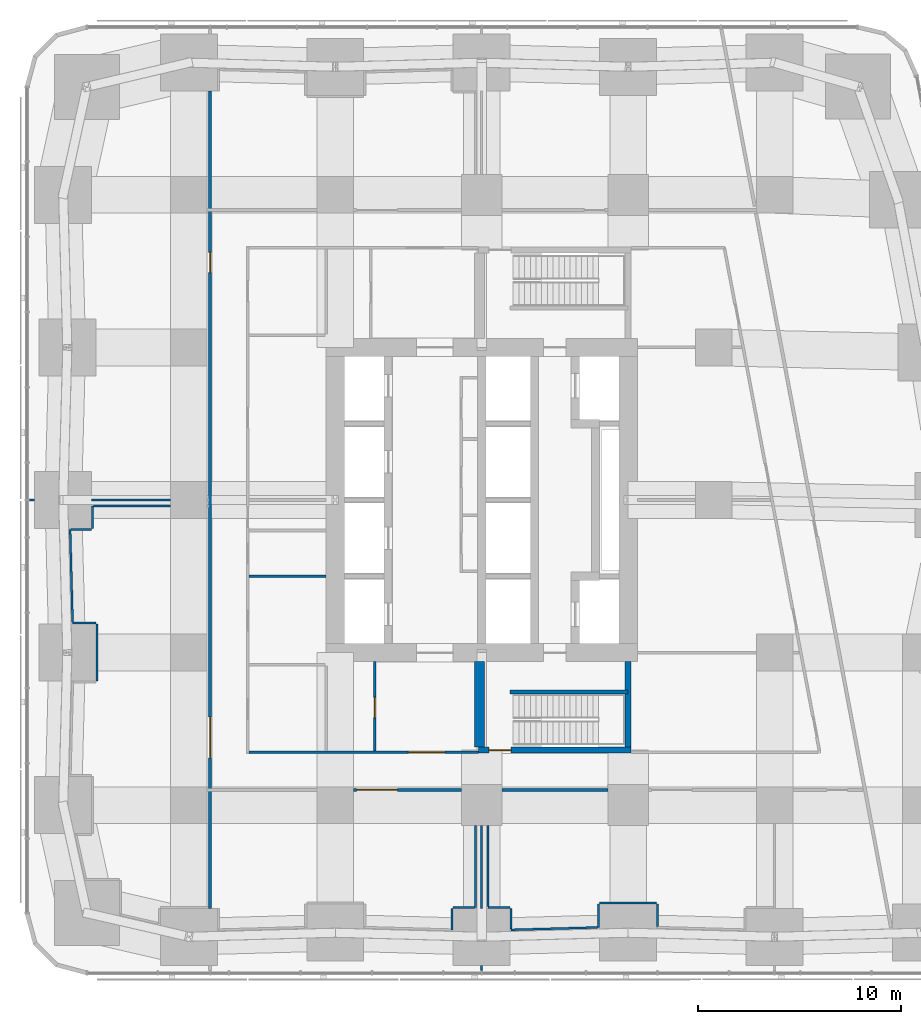
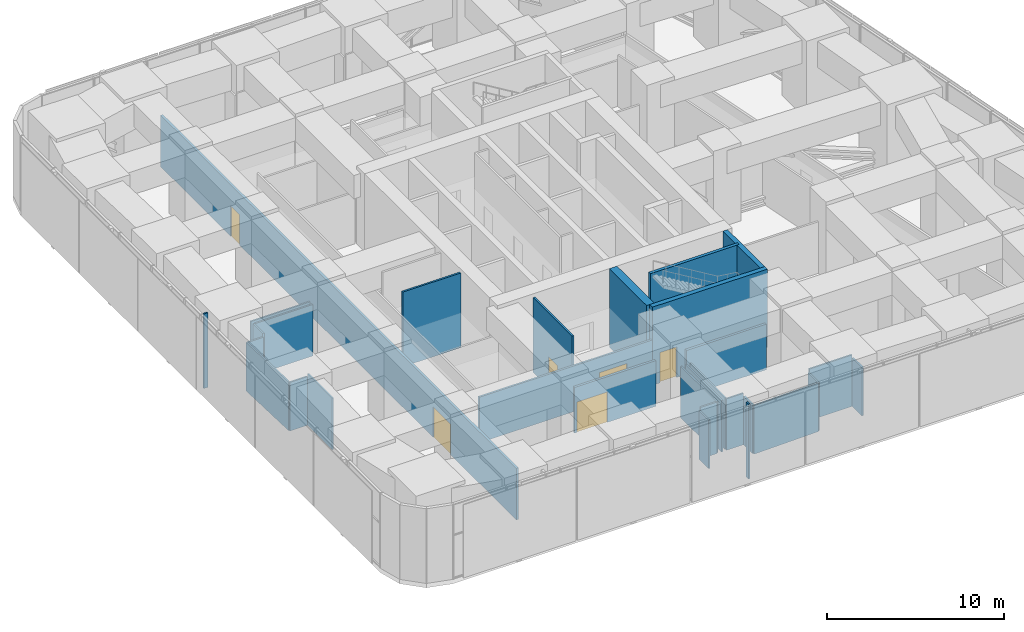
# One storey, part 13 of 20: 30 walls, 6 doors, 6 openings.
"""IFC4 building model written with IfcOpenShell, lengths in metres."""

from ifc_helpers import new_model, si_unit, direction, frame, frame_2d, origin, place, context, subcontext, project, spatial, rectangle, extrude, material, layer, layer_set, type_object, element, fill, save


model = new_model("IFC4")

# Units and contexts
model_context = context("Model", 3, precision=1e-05, world=origin(), true_north=direction((0.0, 1.0)))
body_context = subcontext(model_context, "Body", "Model", "MODEL_VIEW")
ifc_project = project(units=[si_unit("LENGTHUNIT", "METRE"), si_unit("AREAUNIT", "SQUARE_METRE"), si_unit("VOLUMEUNIT", "CUBIC_METRE"), si_unit("PLANEANGLEUNIT", "RADIAN"), si_unit("MASSUNIT", "GRAM", prefix="KILO")], contexts=[model_context])

# Site, building, storey
site_placement = place(None, origin())
site = spatial("IfcSite", under=ifc_project, at=site_placement, CompositionType="ELEMENT")
building_placement = place(site_placement, origin())
building = spatial("IfcBuilding", under=site, at=building_placement, Name="Sheger Commons Tower", CompositionType="ELEMENT")
storey_placement = place(building_placement, frame((0.0, 0.0, 72.5)))
storey = spatial("IfcBuildingStorey", under=building, at=storey_placement, Name="L18", CompositionType="ELEMENT", Elevation=72.5)

# Wall, openings, doors
ifc_material_1 = material(Name="Hollow concrete block masonry, skimmed both sides", Category="masonry")
ifc_layer_1 = layer(ifc_material_1, 0.14990234375)
ifc_layer_set_1 = layer_set([ifc_layer_1], Name="CORRIDOR WALL 150")
wall_type_1 = type_object("IfcWallType", Name="CORRIDOR WALL 150", PredefinedType="SOLIDWALL", material=ifc_layer_set_1)
wall_1_placement = place(storey_placement, frame((8.25, 2.426025390625, 0.0), z_axis=(0.0, 0.0, 1.0), x_axis=(0.0, 1.0, 0.0)))
wall_1 = element("IfcWall", 1, at=wall_1_placement, inside=storey, type_object=wall_type_1, Name="Corridor wall L18", PredefinedType="SOLIDWALL", context=body_context, shape_type="SweptSolid", body=[
    extrude(rectangle(XDim=40.173095703125, YDim=0.14990234375, at=frame_2d((20.08642578125, 0.0))), origin(), (0.0, 0.0, 1.0), 3.550048828125),
])
opening_1_placement = place(wall_1_placement, frame((7.39892578125, 0.0, 0.0)))
opening_1 = element("IfcOpeningElement", 2, at=opening_1_placement, cuts=wall_1, Name="Opening D8", PredefinedType="OPENING", context=body_context, shape_type="SweptSolid", body=[
    extrude(rectangle(XDim=2.0, YDim=2.10009765625, at=frame_2d((1.0, 1.050048828125))), frame((0.0, 0.0849609375, 0.0), z_axis=(0.0, -1.0, 0.0), x_axis=(1.0, 0.0, 0.0)), (0.0, 0.0, 1.0), 0.169921875),
])
opening_2_placement = place(wall_1_placement, frame((31.2490234375, 0.0, 0.0)))
opening_2 = element("IfcOpeningElement", 3, at=opening_2_placement, cuts=wall_1, Name="Opening D4", PredefinedType="OPENING", context=body_context, shape_type="SweptSolid", body=[
    extrude(rectangle(XDim=1.0, YDim=2.10009765625, at=frame_2d((0.5, 1.050048828125))), frame((0.0, 0.0849609375, 0.0), z_axis=(0.0, -1.0, 0.0), x_axis=(1.0, 0.0, 0.0)), (0.0, 0.0, 1.0), 0.169921875),
])
ifc_material_2 = material(Name="Steel door set, fire rated", Category="steel")
door_type_1 = type_object("IfcDoorType", Name="COMMUNITY HALL DOUBLE DOOR 2000x2100", OperationType="DOUBLE_DOOR_SINGLE_SWING", PredefinedType="DOOR", material=ifc_material_2)
door_1_placement = place(opening_1_placement, origin())
door_1 = element("IfcDoor", 4, at=door_1_placement, inside=storey, type_object=door_type_1, Name="Library and study room door", OperationType="DOUBLE_DOOR_SINGLE_SWING", OverallHeight=2.10009765625, OverallWidth=2.0, PredefinedType="DOOR", context=body_context, shape_type="SweptSolid", body=[
    extrude(rectangle(XDim=2.0, YDim=2.10009765625, at=frame_2d((1.0, 1.050048828125))), frame((0.0, 0.02490234375, 0.0), z_axis=(0.0, -1.0, 0.0), x_axis=(1.0, 0.0, 0.0)), (0.0, 0.0, 1.0), 0.050048828125),
])
fill(opening_1, door_1)
ifc_material_3 = material(Name="Steel door set, fire rated", Category="steel")
door_type_2 = type_object("IfcDoorType", Name="SERVICE DOOR 1000x2100", OperationType="NOTDEFINED", PredefinedType="DOOR", material=ifc_material_3)
door_2_placement = place(opening_2_placement, origin())
door_2 = element("IfcDoor", 5, at=door_2_placement, inside=storey, type_object=door_type_2, Name="Refuge area door", OperationType="SINGLE_SWING_RIGHT", OverallHeight=2.10009765625, OverallWidth=1.0, PredefinedType="DOOR", context=body_context, shape_type="SweptSolid", body=[
    extrude(rectangle(XDim=1.0, YDim=2.10009765625, at=frame_2d((0.5, 1.050048828125))), frame((0.0, 0.02490234375, 0.0), z_axis=(0.0, -1.0, 0.0), x_axis=(1.0, 0.0, 0.0)), (0.0, 0.0, 1.0), 0.050048828125),
])
fill(opening_2, door_2)

# Wall
wall_2_placement = place(storey_placement, frame((27.799072265625, 8.25, 0.0), z_axis=(0.0, 0.0, 1.0), x_axis=(-1.0, 0.0, 0.0)))
element("IfcWall", 6, at=wall_2_placement, inside=storey, type_object=wall_type_1, Name="Corridor wall L18", PredefinedType="SOLIDWALL", context=body_context, shape_type="SweptSolid", body=[
    extrude(rectangle(XDim=5.197998046875, YDim=0.14990234375, at=frame_2d((2.59912109375, 0.0))), origin(), (0.0, 0.0, 1.0), 3.14990234375),
])

# Wall, opening, door
wall_3_placement = place(storey_placement, frame((20.59912109375, 8.25, 0.0), z_axis=(0.0, 0.0, 1.0), x_axis=(-1.0, 0.0, 0.0)))
wall_3 = element("IfcWall", 7, at=wall_3_placement, inside=storey, type_object=wall_type_1, Name="Corridor wall L18", PredefinedType="SOLIDWALL", context=body_context, shape_type="SweptSolid", body=[
    extrude(rectangle(XDim=5.298095703125, YDim=0.14990234375, at=frame_2d((2.64892578125, 0.0))), origin(), (0.0, 0.0, 1.0), 3.14990234375),
])
opening_3_placement = place(wall_3_placement, frame((3.14794921875, 0.0, 0.0)))
opening_3 = element("IfcOpeningElement", 8, at=opening_3_placement, cuts=wall_3, Name="Opening D8", PredefinedType="OPENING", context=body_context, shape_type="SweptSolid", body=[
    extrude(rectangle(XDim=2.0, YDim=2.10009765625, at=frame_2d((1.0, 1.050048828125))), frame((0.0, 0.0849609375, 0.0), z_axis=(0.0, -1.0, 0.0), x_axis=(1.0, 0.0, 0.0)), (0.0, 0.0, 1.0), 0.169921875),
])
door_3_placement = place(opening_3_placement, origin())
door_3 = element("IfcDoor", 9, at=door_3_placement, inside=storey, type_object=door_type_1, Name="Community hall door", OperationType="DOUBLE_DOOR_SINGLE_SWING", OverallHeight=2.10009765625, OverallWidth=2.0, PredefinedType="DOOR", context=body_context, shape_type="SweptSolid", body=[
    extrude(rectangle(XDim=2.0, YDim=2.10009765625, at=frame_2d((1.0, 1.050048828125))), frame((0.0, 0.02490234375, 0.0), z_axis=(0.0, -1.0, 0.0), x_axis=(1.0, 0.0, 0.0)), (0.0, 0.0, 1.0), 0.050048828125),
])
fill(opening_3, door_3)

# Walls
ifc_material_4 = material(Name="Gypsum board on steel studs", Category="steel")
ifc_layer_2 = layer(ifc_material_4, 0.10009765625)
ifc_layer_set_2 = layer_set([ifc_layer_2], Name="PARTITION 100")
wall_type_2 = type_object("IfcWallType", Name="PARTITION 100", PredefinedType="PARTITIONING", material=ifc_layer_set_2)
wall_4_placement = place(storey_placement, frame((21.60009765625, -0.636962890625, 0.0), z_axis=(0.0, 0.0, 1.0), x_axis=(0.0, 1.0, 0.0)))
element("IfcWall", 10, at=wall_4_placement, inside=storey, type_object=wall_type_2, Name="Partition L18", PredefinedType="PARTITIONING", context=body_context, shape_type="SweptSolid", body=[
    extrude(rectangle(XDim=0.260986328125, YDim=0.10009765625, at=frame_2d((0.13037109375, 0.0))), origin(), (0.0, 0.0, 1.0), 5.14990234375),
])
wall_5_placement = place(storey_placement, frame((21.60009765625, 2.426025390625, 0.0), z_axis=(0.0, 0.0, 1.0), x_axis=(0.0, 1.0, 0.0)))
element("IfcWall", 11, at=wall_5_placement, inside=storey, type_object=wall_type_2, Name="Partition L18", PredefinedType="PARTITIONING", context=body_context, shape_type="SweptSolid", body=[
    extrude(rectangle(XDim=4.072998046875, YDim=0.10009765625, at=frame_2d((2.03662109375, 0.0))), origin(), (0.0, 0.0, 1.0), 3.550048828125),
])
wall_6_placement = place(storey_placement, frame((-0.636962890625, 22.5, 0.0), z_axis=(0.0, 0.0, 1.0), x_axis=(1.0, 0.0, 0.0)))
element("IfcWall", 12, at=wall_6_placement, inside=storey, type_object=wall_type_2, Name="Partition L18", PredefinedType="PARTITIONING", context=body_context, shape_type="SweptSolid", body=[
    extrude(rectangle(XDim=0.260986328125, YDim=0.10009765625, at=frame_2d((0.13037109375, 0.0))), origin(), (0.0, 0.0, 1.0), 5.14990234375),
])
wall_7_placement = place(storey_placement, frame((2.426025390625, 22.5, 0.0), z_axis=(0.0, 0.0, 1.0), x_axis=(1.0, 0.0, 0.0)))
element("IfcWall", 13, at=wall_7_placement, inside=storey, type_object=wall_type_2, Name="Partition L18", PredefinedType="PARTITIONING", context=body_context, shape_type="SweptSolid", body=[
    extrude(rectangle(XDim=3.873046875, YDim=0.10009765625, at=frame_2d((1.9365234375, 0.0))), origin(), (0.0, 0.0, 1.0), 3.550048828125),
])
wall_8_placement = place(storey_placement, frame((21.300048828125, 6.4990234375, 0.0), z_axis=(0.0, 0.0, 1.0), x_axis=(0.0, -1.0, 0.0)))
element("IfcWall", 14, at=wall_8_placement, inside=storey, type_object=wall_type_2, Name="Partition L18", PredefinedType="PARTITIONING", context=body_context, shape_type="SweptSolid", body=[
    extrude(rectangle(XDim=4.02392578125, YDim=0.10009765625, at=frame_2d((2.011962890625, 0.0))), origin(), (0.0, 0.0, 1.0), 3.550048828125),
])
wall_9_placement = place(storey_placement, frame((21.25, 2.47509765625, 0.0), z_axis=(0.0, 0.0, 1.0), x_axis=(-1.0, 0.0, 0.0)))
element("IfcWall", 15, at=wall_9_placement, inside=storey, type_object=wall_type_2, Name="Partition L18", PredefinedType="PARTITIONING", context=body_context, shape_type="SweptSolid", body=[
    extrude(rectangle(XDim=1.050048828125, YDim=0.10009765625, at=frame_2d((0.52490234375, 0.0))), origin(), (0.0, 0.0, 1.0), 3.550048828125),
])
wall_10_placement = place(storey_placement, frame((20.14990234375, 2.425048828125, 0.0), z_axis=(0.0, 0.0, 1.0), x_axis=(0.0, -1.0, 0.0)))
element("IfcWall", 16, at=wall_10_placement, inside=storey, type_object=wall_type_2, Name="Partition L18", PredefinedType="PARTITIONING", context=body_context, shape_type="SweptSolid", body=[
    extrude(rectangle(XDim=1.06005859375, YDim=0.10009765625, at=frame_2d((0.530029296875, 0.0))), origin(), (0.0, 0.0, 1.0), 3.35009765625),
])
wall_11_placement = place(storey_placement, frame((30.25, 1.534912109375, 0.0), z_axis=(0.0, 0.0, 1.0), x_axis=(0.0, 1.0, 0.0)))
element("IfcWall", 17, at=wall_11_placement, inside=storey, type_object=wall_type_2, Name="Partition L18", PredefinedType="PARTITIONING", context=body_context, shape_type="SweptSolid", body=[
    extrude(rectangle(XDim=1.090087890625, YDim=0.10009765625, at=frame_2d((0.544921875, 0.0))), origin(), (0.0, 0.0, 1.0), 3.35009765625),
])
wall_12_placement = place(storey_placement, frame((30.199951171875, 2.675048828125, 0.0), z_axis=(0.0, 0.0, 1.0), x_axis=(-1.0, 0.0, 0.0)))
element("IfcWall", 18, at=wall_12_placement, inside=storey, type_object=wall_type_2, Name="Partition L18", PredefinedType="PARTITIONING", context=body_context, shape_type="SweptSolid", body=[
    extrude(rectangle(XDim=2.800048828125, YDim=0.10009765625, at=frame_2d((1.39990234375, 0.0))), origin(), (0.0, 0.0, 1.0), 3.550048828125),
])
wall_13_placement = place(storey_placement, frame((27.35009765625, 2.625, 0.0), z_axis=(0.0, 0.0, 1.0), x_axis=(0.0, -1.0, 0.0)))
element("IfcWall", 19, at=wall_13_placement, inside=storey, type_object=wall_type_2, Name="Partition L18", PredefinedType="PARTITIONING", context=body_context, shape_type="SweptSolid", body=[
    extrude(rectangle(XDim=1.139892578125, YDim=0.10009765625, at=frame_2d((0.56982421875, 0.0))), origin(), (0.0, 0.0, 1.0), 3.35009765625),
])
wall_14_placement = place(storey_placement, frame((27.300048828125, 1.48388671875, 0.0), z_axis=(0.0, 0.0, 1.0), x_axis=(-0.999608911234, -0.027964702423, 0.0)))
element("IfcWall", 20, at=wall_14_placement, inside=storey, type_object=wall_type_2, Name="Partition L18", PredefinedType="PARTITIONING", context=body_context, shape_type="SweptSolid", body=[
    extrude(rectangle(XDim=4.251708984375, YDim=0.10009765625, at=frame_2d((2.1259765625, 0.0))), origin(), (0.0, 0.0, 1.0), 3.35009765625),
])
wall_15_placement = place(storey_placement, frame((23.050048828125, 1.416015625, 0.0), z_axis=(0.0, 0.0, 1.0), x_axis=(0.0, 1.0, 0.0)))
element("IfcWall", 21, at=wall_15_placement, inside=storey, type_object=wall_type_2, Name="Partition L18", PredefinedType="PARTITIONING", context=body_context, shape_type="SweptSolid", body=[
    extrude(rectangle(XDim=1.009033203125, YDim=0.10009765625, at=frame_2d((0.50439453125, 0.0))), origin(), (0.0, 0.0, 1.0), 3.35009765625),
])
wall_16_placement = place(storey_placement, frame((23.0, 2.47509765625, 0.0), z_axis=(0.0, 0.0, 1.0), x_axis=(-1.0, 0.0, 0.0)))
element("IfcWall", 22, at=wall_16_placement, inside=storey, type_object=wall_type_2, Name="Partition L18", PredefinedType="PARTITIONING", context=body_context, shape_type="SweptSolid", body=[
    extrude(rectangle(XDim=1.10009765625, YDim=0.10009765625, at=frame_2d((0.550048828125, 0.0))), origin(), (0.0, 0.0, 1.0), 3.550048828125),
])
wall_17_placement = place(storey_placement, frame((21.89990234375, 2.52490234375, 0.0), z_axis=(0.0, 0.0, 1.0), x_axis=(0.0, 1.0, 0.0)))
element("IfcWall", 23, at=wall_17_placement, inside=storey, type_object=wall_type_2, Name="Partition L18", PredefinedType="PARTITIONING", context=body_context, shape_type="SweptSolid", body=[
    extrude(rectangle(XDim=3.97412109375, YDim=0.10009765625, at=frame_2d((1.987060546875, 0.0))), origin(), (0.0, 0.0, 1.0), 3.550048828125),
])
wall_18_placement = place(storey_placement, frame((2.675048828125, 13.60009765625, 0.0), z_axis=(0.0, 0.0, 1.0), x_axis=(0.0, 1.0, 0.0)))
element("IfcWall", 24, at=wall_18_placement, inside=storey, type_object=wall_type_2, Name="Partition L18", PredefinedType="PARTITIONING", context=body_context, shape_type="SweptSolid", body=[
    extrude(rectangle(XDim=2.7998046875, YDim=0.10009765625, at=frame_2d((1.39990234375, 0.0))), origin(), (0.0, 0.0, 1.0), 3.550048828125),
])
wall_19_placement = place(storey_placement, frame((2.625, 16.449951171875, 0.0), z_axis=(0.0, 0.0, 1.0), x_axis=(-1.0, 0.0, 0.0)))
element("IfcWall", 25, at=wall_19_placement, inside=storey, type_object=wall_type_2, Name="Partition L18", PredefinedType="PARTITIONING", context=body_context, shape_type="SweptSolid", body=[
    extrude(rectangle(XDim=1.138916015625, YDim=0.10009765625, at=frame_2d((0.5693359375, 0.0))), origin(), (0.0, 0.0, 1.0), 3.35009765625),
])
wall_20_placement = place(storey_placement, frame((1.485107421875, 16.5, 0.0), z_axis=(0.0, 0.0, 1.0), x_axis=(-0.026604305266, 0.999646042828, 0.0)))
element("IfcWall", 26, at=wall_20_placement, inside=storey, type_object=wall_type_2, Name="Partition L18", PredefinedType="PARTITIONING", context=body_context, shape_type="SweptSolid", body=[
    extrude(rectangle(XDim=4.5517578125, YDim=0.10009765625, at=frame_2d((2.27587890625, 0.0))), origin(), (0.0, 0.0, 1.0), 3.35009765625),
])
wall_21_placement = place(storey_placement, frame((1.4150390625, 21.050048828125, 0.0), z_axis=(0.0, 0.0, 1.0), x_axis=(1.0, 0.0, 0.0)))
element("IfcWall", 27, at=wall_21_placement, inside=storey, type_object=wall_type_2, Name="Partition L18", PredefinedType="PARTITIONING", context=body_context, shape_type="SweptSolid", body=[
    extrude(rectangle(XDim=1.010009765625, YDim=0.10009765625, at=frame_2d((0.5048828125, 0.0))), origin(), (0.0, 0.0, 1.0), 3.35009765625),
])
wall_22_placement = place(storey_placement, frame((2.47509765625, 21.10009765625, 0.0), z_axis=(0.0, 0.0, 1.0), x_axis=(0.0, 1.0, 0.0)))
element("IfcWall", 28, at=wall_22_placement, inside=storey, type_object=wall_type_2, Name="Partition L18", PredefinedType="PARTITIONING", context=body_context, shape_type="SweptSolid", body=[
    extrude(rectangle(XDim=1.099853515625, YDim=0.10009765625, at=frame_2d((0.5498046875, 0.0))), origin(), (0.0, 0.0, 1.0), 3.550048828125),
])
wall_23_placement = place(storey_placement, frame((2.52490234375, 22.199951171875, 0.0), z_axis=(0.0, 0.0, 1.0), x_axis=(1.0, 0.0, 0.0)))
element("IfcWall", 29, at=wall_23_placement, inside=storey, type_object=wall_type_2, Name="Partition L18", PredefinedType="PARTITIONING", context=body_context, shape_type="SweptSolid", body=[
    extrude(rectangle(XDim=3.774169921875, YDim=0.10009765625, at=frame_2d((1.88720703125, 0.0))), origin(), (0.0, 0.0, 1.0), 3.550048828125),
])

# Wall, opening, door
ifc_material_5 = material(Name="Gypsum board on steel studs, two layers each side, fire rated", Category="steel")
ifc_layer_3 = layer(ifc_material_5, 0.125)
ifc_layer_set_3 = layer_set([ifc_layer_3], Name="SERVICE WALL 125")
wall_type_3 = type_object("IfcWallType", Name="SERVICE WALL 125", PredefinedType="PARTITIONING", material=ifc_layer_set_3)
wall_24_placement = place(storey_placement, frame((10.1630859375, 10.10009765625, 0.0), z_axis=(0.0, 0.0, 1.0), x_axis=(1.0, 0.0, 0.0)))
wall_24 = element("IfcWall", 30, at=wall_24_placement, inside=storey, type_object=wall_type_3, Name="Service room wall L18", PredefinedType="PARTITIONING", context=body_context, shape_type="SweptSolid", body=[
    extrude(rectangle(XDim=11.286865234375, YDim=0.125, at=frame_2d((5.6435546875, 0.0))), origin(), (0.0, 0.0, 1.0), 3.14990234375),
])
opening_4_placement = place(wall_24_placement, frame((7.83203125, 0.0, 0.0)))
opening_4 = element("IfcOpeningElement", 31, at=opening_4_placement, cuts=wall_24, Name="Opening D6", PredefinedType="OPENING", context=body_context, shape_type="SweptSolid", body=[
    extrude(rectangle(XDim=1.800048828125, YDim=2.10009765625, at=frame_2d((0.89990234375, 1.050048828125))), frame((0.0, 0.072509765625, 0.0), z_axis=(0.0, -1.0, 0.0), x_axis=(1.0, 0.0, 0.0)), (0.0, 0.0, 1.0), 0.14501953125),
])
ifc_material_6 = material(Name="Steel door set, fire rated", Category="steel")
door_type_3 = type_object("IfcDoorType", Name="LOBBY DOUBLE DOOR 1800x2100", OperationType="DOUBLE_DOOR_SINGLE_SWING", PredefinedType="DOOR", material=ifc_material_6)
door_4_placement = place(opening_4_placement, origin())
door_4 = element("IfcDoor", 32, at=door_4_placement, inside=storey, type_object=door_type_3, Name="Lift lobby south door", OperationType="DOUBLE_DOOR_SINGLE_SWING", OverallHeight=2.10009765625, OverallWidth=1.800048828125, PredefinedType="DOOR", context=body_context, shape_type="SweptSolid", body=[
    extrude(rectangle(XDim=1.800048828125, YDim=2.10009765625, at=frame_2d((0.89990234375, 1.050048828125))), frame((0.0, 0.02490234375, 0.0), z_axis=(0.0, -1.0, 0.0), x_axis=(1.0, 0.0, 0.0)), (0.0, 0.0, 1.0), 0.050048828125),
])
fill(opening_4, door_4)

wall_25_placement = place(storey_placement, frame((16.340087890625, 10.1630859375, 0.0), z_axis=(0.0, 0.0, 1.0), x_axis=(0.0, 1.0, 0.0)))
wall_25 = element("IfcWall", 33, at=wall_25_placement, inside=storey, type_object=wall_type_3, Name="Service room wall L18", PredefinedType="PARTITIONING", context=body_context, shape_type="SweptSolid", body=[
    extrude(rectangle(XDim=4.386962890625, YDim=0.125, at=frame_2d((2.193359375, 0.0))), origin(), (0.0, 0.0, 1.0), 5.14990234375),
])
opening_5_placement = place(wall_25_placement, frame((1.636962890625, 0.0, 0.0)))
opening_5 = element("IfcOpeningElement", 34, at=opening_5_placement, cuts=wall_25, Name="Opening D4", PredefinedType="OPENING", context=body_context, shape_type="SweptSolid", body=[
    extrude(rectangle(XDim=1.0, YDim=2.10009765625, at=frame_2d((0.5, 1.050048828125))), frame((0.0, 0.072509765625, 0.0), z_axis=(0.0, -1.0, 0.0), x_axis=(1.0, 0.0, 0.0)), (0.0, 0.0, 1.0), 0.14501953125),
])
door_5_placement = place(opening_5_placement, origin())
door_5 = element("IfcDoor", 35, at=door_5_placement, inside=storey, type_object=door_type_2, Name="Electrical plant room door", OperationType="SINGLE_SWING_LEFT", OverallHeight=2.10009765625, OverallWidth=1.0, PredefinedType="DOOR", context=body_context, shape_type="SweptSolid", body=[
    extrude(rectangle(XDim=1.0, YDim=2.10009765625, at=frame_2d((0.5, 1.050048828125))), frame((0.0, 0.02490234375, 0.0), z_axis=(0.0, -1.0, 0.0), x_axis=(1.0, 0.0, 0.0)), (0.0, 0.0, 1.0), 0.050048828125),
])
fill(opening_5, door_5)

# Wall
wall_26_placement = place(storey_placement, frame((10.1630859375, 18.75, 0.0), z_axis=(0.0, 0.0, 1.0), x_axis=(1.0, 0.0, 0.0)))
element("IfcWall", 36, at=wall_26_placement, inside=storey, type_object=wall_type_3, Name="Service room wall L18", PredefinedType="PARTITIONING", context=body_context, shape_type="SweptSolid", body=[
    extrude(rectangle(XDim=3.786865234375, YDim=0.125, at=frame_2d((1.8935546875, 0.0))), origin(), (0.0, 0.0, 1.0), 5.14990234375),
])

# Wall, opening, door
ifc_material_7 = material(Name="Concrete C50/60", Category="concrete")
ifc_layer_4 = layer(ifc_material_7, 0.300048828125)
ifc_layer_set_4 = layer_set([ifc_layer_4], Name="STAIR CORE WALL 300")
wall_type_4 = type_object("IfcWallType", Name="STAIR CORE WALL 300", PredefinedType="SHEAR", material=ifc_layer_set_4)
wall_27_placement = place(storey_placement, frame((21.449951171875, 10.199951171875, 0.0), z_axis=(0.0, 0.0, 1.0), x_axis=(1.0, 0.0, 0.0)))
wall_27 = element("IfcWall", 37, at=wall_27_placement, inside=storey, type_object=wall_type_4, Name="STW-L18-S1S", PredefinedType="SHEAR", context=body_context, shape_type="SweptSolid", body=[
    extrude(rectangle(XDim=7.5, YDim=0.300048828125, at=frame_2d((3.75, 0.0))), origin(), (0.0, 0.0, 1.0), 5.39990234375),
])
opening_6_placement = place(wall_27_placement, frame((0.5, 0.0, 0.0)))
opening_6 = element("IfcOpeningElement", 38, at=opening_6_placement, cuts=wall_27, Name="Opening D5", PredefinedType="OPENING", context=body_context, shape_type="SweptSolid", body=[
    extrude(rectangle(XDim=1.10009765625, YDim=2.10009765625, at=frame_2d((0.550048828125, 1.050048828125))), frame((0.0, 0.159912109375, 0.0), z_axis=(0.0, -1.0, 0.0), x_axis=(1.0, 0.0, 0.0)), (0.0, 0.0, 1.0), 0.320068359375),
])
ifc_material_8 = material(Name="Steel door set, fire rated", Category="steel")
door_type_4 = type_object("IfcDoorType", Name="STAIR DOOR 1100x2100", OperationType="NOTDEFINED", PredefinedType="DOOR", material=ifc_material_8)
door_6_placement = place(opening_6_placement, origin())
door_6 = element("IfcDoor", 39, at=door_6_placement, inside=storey, type_object=door_type_4, Name="Stair S1 door", OperationType="SINGLE_SWING_LEFT", OverallHeight=2.10009765625, OverallWidth=1.10009765625, PredefinedType="DOOR", context=body_context, shape_type="SweptSolid", body=[
    extrude(rectangle(XDim=1.10009765625, YDim=2.10009765625, at=frame_2d((0.550048828125, 1.050048828125))), frame((0.0, 0.02490234375, 0.0), z_axis=(0.0, -1.0, 0.0), x_axis=(1.0, 0.0, 0.0)), (0.0, 0.0, 1.0), 0.050048828125),
])
fill(opening_6, door_6)

# Walls
wall_28_placement = place(storey_placement, frame((28.800048828125, 10.35009765625, 0.0), z_axis=(0.0, 0.0, 1.0), x_axis=(0.0, 1.0, 0.0)))
element("IfcWall", 40, at=wall_28_placement, inside=storey, type_object=wall_type_4, Name="STW-L18-S1E", PredefinedType="SHEAR", context=body_context, shape_type="SweptSolid", body=[
    extrude(rectangle(XDim=4.199951171875, YDim=0.300048828125, at=frame_2d((2.10009765625, 0.0))), origin(), (0.0, 0.0, 1.0), 5.39990234375),
])
ifc_material_9 = material(Name="Concrete C50/60", Category="concrete")
ifc_layer_5 = layer(ifc_material_9, 0.5)
ifc_layer_set_5 = layer_set([ifc_layer_5], Name="STAIR CORE WALL 500")
wall_type_5 = type_object("IfcWallType", Name="STAIR CORE WALL 500", PredefinedType="SHEAR", material=ifc_layer_set_5)
wall_29_placement = place(storey_placement, frame((21.5, 10.35009765625, 0.0), z_axis=(0.0, 0.0, 1.0), x_axis=(0.0, 1.0, 0.0)))
element("IfcWall", 41, at=wall_29_placement, inside=storey, type_object=wall_type_5, Name="STW-L18-S1W", PredefinedType="SHEAR", context=body_context, shape_type="SweptSolid", body=[
    extrude(rectangle(XDim=4.199951171875, YDim=0.5, at=frame_2d((2.10009765625, 0.0))), origin(), (0.0, 0.0, 1.0), 5.39990234375),
])
ifc_material_10 = material(Name="Concrete C50/60", Category="concrete")
ifc_layer_6 = layer(ifc_material_10, 0.199951171875)
ifc_layer_set_6 = layer_set([ifc_layer_6], Name="STAIR SPINE WALL 200")
wall_type_6 = type_object("IfcWallType", Name="STAIR SPINE WALL 200", PredefinedType="SHEAR", material=ifc_layer_set_6)
wall_30_placement = place(storey_placement, frame((23.0, 13.050048828125, 0.0), z_axis=(0.0, 0.0, 1.0), x_axis=(1.0, 0.0, 0.0)))
element("IfcWall", 42, at=wall_30_placement, inside=storey, type_object=wall_type_6, Name="Stair spine wall L18", PredefinedType="SHEAR", context=body_context, shape_type="SweptSolid", body=[
    extrude(rectangle(XDim=5.800048828125, YDim=0.199951171875, at=frame_2d((2.89990234375, 0.0))), origin(), (0.0, 0.0, 1.0), 5.39990234375),
])

save(model, "model.ifc")
